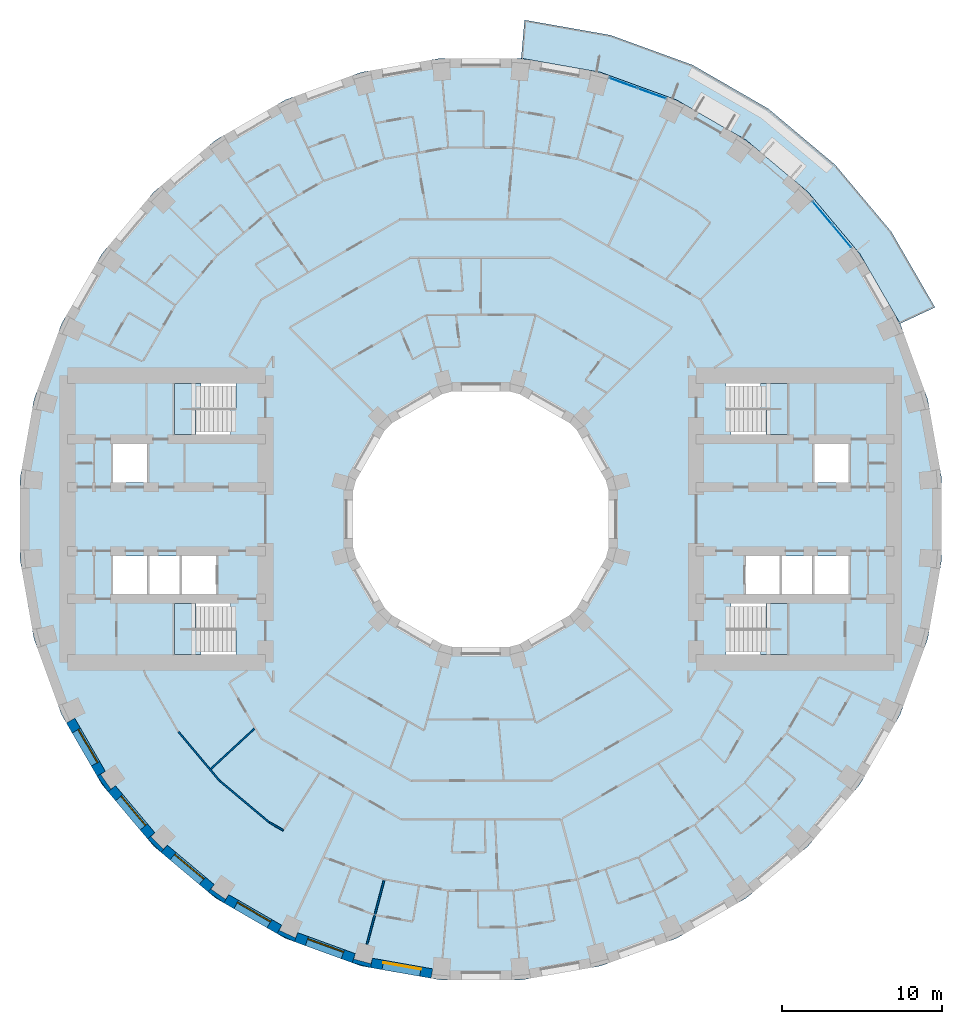
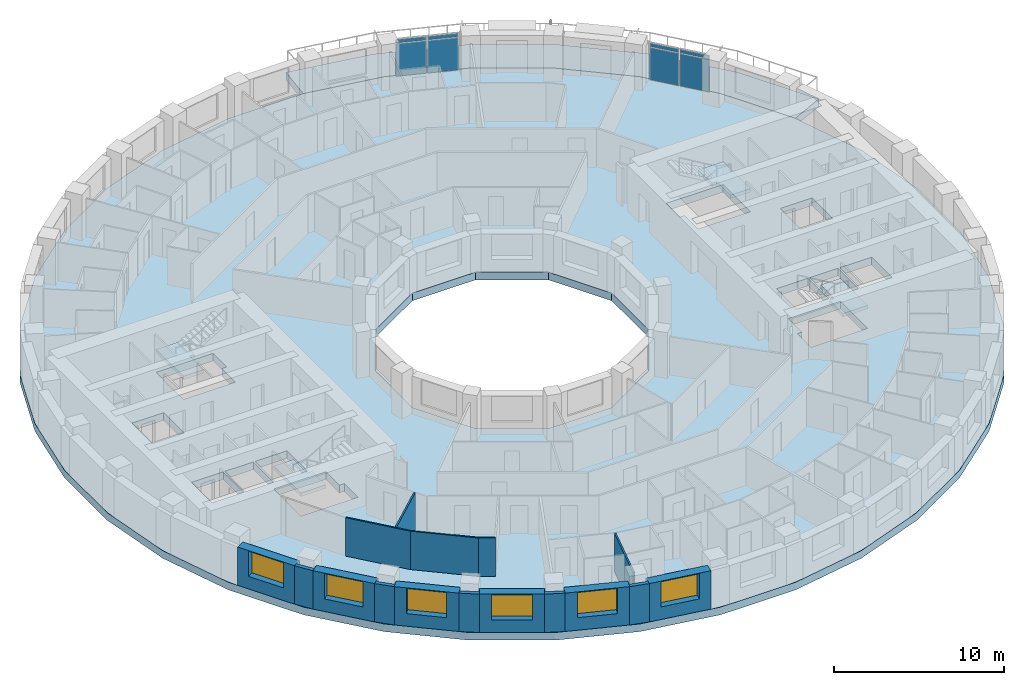
# One storey, part 3 of 15: 16 walls, 8 plates, 6 slabs, 6 windows, 6 openings, 6 elements without a shape of their own.
"""IFC4 building model written with IfcOpenShell, lengths in metres."""

from ifc_helpers import new_model, si_unit, direction, frame, frame_2d, origin, origin_2d, place, context, subcontext, project, spatial, polyline, rectangle, outline, extrude, material, layer, layer_set, type_object, element, fill, aggregate, save


model = new_model("IFC4")

# Units and contexts
model_context = context("Model", 3, precision=1e-05, world=origin(), true_north=direction((0.0, 1.0)))
body_context = subcontext(model_context, "Body", "Model", "MODEL_VIEW")
ifc_project = project(units=[si_unit("LENGTHUNIT", "METRE"), si_unit("AREAUNIT", "SQUARE_METRE"), si_unit("VOLUMEUNIT", "CUBIC_METRE"), si_unit("PLANEANGLEUNIT", "RADIAN"), si_unit("MASSUNIT", "GRAM", prefix="KILO")], contexts=[model_context])

# Site, building, storey
site_placement = place(None, origin())
site = spatial("IfcSite", under=ifc_project, at=site_placement, CompositionType="ELEMENT")
building_placement = place(site_placement, origin())
building = spatial("IfcBuilding", under=site, at=building_placement, Name="Saqina Gate Tower", CompositionType="ELEMENT")
storey_placement = place(building_placement, frame((0.0, 0.0, 69.199951171875)))
storey = spatial("IfcBuildingStorey", under=building, at=storey_placement, Name="L19", CompositionType="ELEMENT", Elevation=69.199951171875)

# Curtain wall, plates
ifc_material_1 = material(Name="Aluminium glazing", Category="aluminium")
ifc_layer_1 = layer(ifc_material_1, 0.159912109375)
ifc_layer_set_1 = layer_set([ifc_layer_1], Name="CWT-4")
curtain_wall_type = type_object("IfcCurtainWallType", Name="CWT-4", PredefinedType="NOTDEFINED", material=ifc_layer_set_1)
curtain_wall_1_placement = place(storey_placement, origin())
curtain_wall_1 = element("IfcCurtainWall", 1, at=curtain_wall_1_placement, inside=storey, type_object=curtain_wall_type, Name="Terrace lounge glazing facet 4", PredefinedType="NOTDEFINED")
ifc_material_2 = material(Name="Glass", Category="glass")
ifc_layer_2 = layer(ifc_material_2, 0.028076171875)
ifc_layer_set_2 = layer_set([ifc_layer_2], Name="CWT-4P")
plate_type = type_object("IfcPlateType", Name="CWT-4P", PredefinedType="CURTAIN_PANEL", material=ifc_layer_set_2)
plate_1_placement = place(storey_placement, frame((22.624267578125, 17.74853515625, 0.06005859375), z_axis=(0.0, 0.0, 1.0), x_axis=(-0.642791970033, 0.766040784332, 0.0)))
plate_1 = element("IfcPlate", 2, at=plate_1_placement, type_object=plate_type, Name="CW4-04 panel 1.1", PredefinedType="CURTAIN_PANEL", context=body_context, shape_type="SweptSolid", body=[
    extrude(rectangle(XDim=1.8330078125, YDim=0.028076171875, at=origin_2d()), origin(), (0.0, 0.0, 1.0), 2.31005859375),
])
plate_2_placement = place(storey_placement, frame((22.624267578125, 17.74853515625, 2.43017578125), z_axis=(0.0, 0.0, 1.0), x_axis=(-0.642791970033, 0.766040784332, 0.0)))
plate_2 = element("IfcPlate", 3, at=plate_2_placement, type_object=plate_type, Name="CW4-04 panel 1.2", PredefinedType="CURTAIN_PANEL", context=body_context, shape_type="SweptSolid", body=[
    extrude(rectangle(XDim=1.8330078125, YDim=0.028076171875, at=origin_2d()), origin(), (0.0, 0.0, 1.0), 0.260009765625),
])
plate_3_placement = place(storey_placement, frame((21.407470703125, 19.198486328125, 0.06005859375), z_axis=(0.0, 0.0, 1.0), x_axis=(-0.642791970033, 0.766040784332, 0.0)))
plate_3 = element("IfcPlate", 4, at=plate_3_placement, type_object=plate_type, Name="CW4-04 panel 2.1", PredefinedType="CURTAIN_PANEL", context=body_context, shape_type="SweptSolid", body=[
    extrude(rectangle(XDim=1.8330078125, YDim=0.028076171875, at=origin_2d()), origin(), (0.0, 0.0, 1.0), 2.31005859375),
])
plate_4_placement = place(storey_placement, frame((21.407470703125, 19.198486328125, 2.43017578125), z_axis=(0.0, 0.0, 1.0), x_axis=(-0.642791970033, 0.766040784332, 0.0)))
plate_4 = element("IfcPlate", 5, at=plate_4_placement, type_object=plate_type, Name="CW4-04 panel 2.2", PredefinedType="CURTAIN_PANEL", context=body_context, shape_type="SweptSolid", body=[
    extrude(rectangle(XDim=1.8330078125, YDim=0.028076171875, at=origin_2d()), origin(), (0.0, 0.0, 1.0), 0.260009765625),
])
aggregate(curtain_wall_1, [plate_1, plate_2, plate_3, plate_4])

curtain_wall_2_placement = place(storey_placement, origin())
curtain_wall_2 = element("IfcCurtainWall", 6, at=curtain_wall_2_placement, inside=storey, type_object=curtain_wall_type, Name="Terrace lounge glazing facet 7", PredefinedType="NOTDEFINED")
plate_5_placement = place(storey_placement, frame((10.718994140625, 26.682861328125, 0.06005859375), z_axis=(0.0, 0.0, 1.0), x_axis=(-0.939696968811, 0.34200819699, 0.0)))
plate_5 = element("IfcPlate", 7, at=plate_5_placement, type_object=plate_type, Name="CW4-07 panel 1.1", PredefinedType="CURTAIN_PANEL", context=body_context, shape_type="SweptSolid", body=[
    extrude(rectangle(XDim=1.8330078125, YDim=0.028076171875, at=origin_2d()), origin(), (0.0, 0.0, 1.0), 2.31005859375),
])
plate_6_placement = place(storey_placement, frame((10.718994140625, 26.682861328125, 2.43017578125), z_axis=(0.0, 0.0, 1.0), x_axis=(-0.939696968811, 0.34200819699, 0.0)))
plate_6 = element("IfcPlate", 8, at=plate_6_placement, type_object=plate_type, Name="CW4-07 panel 1.2", PredefinedType="CURTAIN_PANEL", context=body_context, shape_type="SweptSolid", body=[
    extrude(rectangle(XDim=1.8330078125, YDim=0.028076171875, at=origin_2d()), origin(), (0.0, 0.0, 1.0), 0.260009765625),
])
plate_7_placement = place(storey_placement, frame((8.940185546875, 27.330078125, 0.06005859375), z_axis=(0.0, 0.0, 1.0), x_axis=(-0.939696968811, 0.34200819699, 0.0)))
plate_7 = element("IfcPlate", 9, at=plate_7_placement, type_object=plate_type, Name="CW4-07 panel 2.1", PredefinedType="CURTAIN_PANEL", context=body_context, shape_type="SweptSolid", body=[
    extrude(rectangle(XDim=1.8330078125, YDim=0.028076171875, at=origin_2d()), origin(), (0.0, 0.0, 1.0), 2.31005859375),
])
plate_8_placement = place(storey_placement, frame((8.940185546875, 27.330078125, 2.43017578125), z_axis=(0.0, 0.0, 1.0), x_axis=(-0.939696968811, 0.34200819699, 0.0)))
plate_8 = element("IfcPlate", 10, at=plate_8_placement, type_object=plate_type, Name="CW4-07 panel 2.2", PredefinedType="CURTAIN_PANEL", context=body_context, shape_type="SweptSolid", body=[
    extrude(rectangle(XDim=1.8330078125, YDim=0.028076171875, at=origin_2d()), origin(), (0.0, 0.0, 1.0), 0.260009765625),
])
aggregate(curtain_wall_2, [plate_5, plate_6, plate_7, plate_8])

# Stair, slab
ifc_material_3 = material(Name="Concrete C40/50", Category="concrete")
stair_type = type_object("IfcStairType", Name="EXIT STAIR", PredefinedType="HALF_TURN_STAIR", material=ifc_material_3)
stair_1_placement = place(storey_placement, origin())
stair_1 = element("IfcStair", 11, at=stair_1_placement, inside=storey, type_object=stair_type, Name="EXIT STAIR 1", PredefinedType="HALF_TURN_STAIR")
ifc_material_4 = material(Name="Concrete C40/50", Category="concrete")
ifc_layer_3 = layer(ifc_material_4, 0.25)
ifc_layer_set_3 = layer_set([ifc_layer_3], Name="Concrete C40/50")
slab_type_1 = type_object("IfcSlabType", Name="EXIT STAIR LANDING", PredefinedType="LANDING", material=ifc_layer_set_3)
slab_1_placement = place(storey_placement, frame((0.0, 0.0, 1.400146484375)))
slab_1 = element("IfcSlab", 12, at=slab_1_placement, type_object=slab_type_1, Name="EXIT STAIR 1 LANDING 1", PredefinedType="LANDING", context=body_context, shape_type="SweptSolid", body=[
    extrude(outline(polyline([(19.219970703125, 8.5), (19.219970703125, 5.300048828125), (17.864990234375, 5.300048828125), (17.864990234375, 6.89990234375), (17.534423828125, 6.89990234375), (17.534423828125, 8.5), (17.864990234375, 8.5), (17.8701171875, 8.5), (19.219970703125, 8.5)])), origin(), (0.0, 0.0, 1.0), 0.25),
])
aggregate(stair_1, [slab_1])

stair_2_placement = place(storey_placement, origin())
stair_2 = element("IfcStair", 13, at=stair_2_placement, inside=storey, type_object=stair_type, Name="EXIT STAIR 2", PredefinedType="HALF_TURN_STAIR")
slab_2_placement = place(storey_placement, frame((0.0, 0.0, 1.400146484375)))
slab_2 = element("IfcSlab", 14, at=slab_2_placement, type_object=slab_type_1, Name="EXIT STAIR 2 LANDING 1", PredefinedType="LANDING", context=body_context, shape_type="SweptSolid", body=[
    extrude(outline(polyline([(17.534423828125, -8.5), (17.534423828125, -6.89990234375), (17.864990234375, -6.89990234375), (17.864990234375, -5.300048828125), (19.219970703125, -5.300048828125), (19.219970703125, -8.5), (17.8701171875, -8.5), (17.864990234375, -8.5), (17.534423828125, -8.5)])), origin(), (0.0, 0.0, 1.0), 0.25),
])
aggregate(stair_2, [slab_2])

stair_3_placement = place(storey_placement, origin())
stair_3 = element("IfcStair", 15, at=stair_3_placement, inside=storey, type_object=stair_type, Name="EXIT STAIR 3", PredefinedType="HALF_TURN_STAIR")
slab_3_placement = place(storey_placement, frame((0.0, 0.0, 1.400146484375)))
slab_3 = element("IfcSlab", 16, at=slab_3_placement, type_object=slab_type_1, Name="EXIT STAIR 3 LANDING 1", PredefinedType="LANDING", context=body_context, shape_type="SweptSolid", body=[
    extrude(outline(polyline([(-17.864990234375, 5.300048828125), (-19.219970703125, 5.300048828125), (-19.219970703125, 8.5), (-17.8701171875, 8.5), (-17.864990234375, 8.5), (-17.534423828125, 8.5), (-17.534423828125, 6.89990234375), (-17.864990234375, 6.89990234375), (-17.864990234375, 5.300048828125)])), origin(), (0.0, 0.0, 1.0), 0.25),
])
aggregate(stair_3, [slab_3])

stair_4_placement = place(storey_placement, origin())
stair_4 = element("IfcStair", 17, at=stair_4_placement, inside=storey, type_object=stair_type, Name="EXIT STAIR 4", PredefinedType="HALF_TURN_STAIR")
slab_4_placement = place(storey_placement, frame((0.0, 0.0, 1.400146484375)))
slab_4 = element("IfcSlab", 18, at=slab_4_placement, type_object=slab_type_1, Name="EXIT STAIR 4 LANDING 1", PredefinedType="LANDING", context=body_context, shape_type="SweptSolid", body=[
    extrude(outline(polyline([(-17.534423828125, -6.89990234375), (-17.534423828125, -8.5), (-17.864990234375, -8.5), (-17.8701171875, -8.5), (-19.219970703125, -8.5), (-19.219970703125, -5.300048828125), (-17.864990234375, -5.300048828125), (-17.864990234375, -6.89990234375), (-17.534423828125, -6.89990234375)])), origin(), (0.0, 0.0, 1.0), 0.25),
])
aggregate(stair_4, [slab_4])

# Slabs
ifc_material_5 = material(Name="Concrete C40/50", Category="concrete")
ifc_layer_4 = layer(ifc_material_5, 0.550048828125)
ifc_layer_set_4 = layer_set([ifc_layer_4], Name="Concrete C40/50")
slab_type_2 = type_object("IfcSlabType", Name="STR-POST-TENSIONED FLAT PLATE FLOOR-550", PredefinedType="FLOOR", material=ifc_layer_set_4)
slab_5_placement = place(storey_placement, frame((0.0, 0.0, -0.550048828125)))
element("IfcSlab", 19, at=slab_5_placement, inside=storey, type_object=slab_type_2, Name="L19-SLB01", PredefinedType="FLOOR", context=body_context, shape_type="SweptSolid", body=[
    extrude(outline(polyline([(28.011962890625, -7.505859375), (28.8896484375, -2.527587890625), (28.8896484375, 2.527587890625), (28.011962890625, 7.505859375), (26.282958984375, 12.255859375), (23.75537109375, 16.6337890625), (20.506103515625, 20.506103515625), (16.6337890625, 23.75537109375), (12.255859375, 26.282958984375), (7.505859375, 28.011962890625), (2.527587890625, 28.8896484375), (-2.527587890625, 28.8896484375), (-7.505859375, 28.011962890625), (-12.255859375, 26.282958984375), (-16.6337890625, 23.75537109375), (-20.506103515625, 20.506103515625), (-23.75537109375, 16.6337890625), (-26.282958984375, 12.255859375), (-28.011962890625, 7.505859375), (-28.8896484375, 2.527587890625), (-28.8896484375, -2.527587890625), (-28.011962890625, -7.505859375), (-26.282958984375, -12.255859375), (-23.75537109375, -16.6337890625), (-20.506103515625, -20.506103515625), (-16.6337890625, -23.75537109375), (-12.255859375, -26.282958984375), (-7.505859375, -28.011962890625), (-2.527587890625, -28.8896484375), (2.527587890625, -28.8896484375), (7.505859375, -28.011962890625), (12.255859375, -26.282958984375), (16.6337890625, -23.75537109375), (20.506103515625, -20.506103515625), (23.75537109375, -16.6337890625), (26.282958984375, -12.255859375), (28.011962890625, -7.505859375)]), holes=[polyline([(2.1435546875, 8.0), (5.8564453125, 5.8564453125), (8.0, 2.1435546875), (8.0, -2.1435546875), (5.8564453125, -5.8564453125), (2.1435546875, -8.0), (-2.1435546875, -8.0), (-5.8564453125, -5.8564453125), (-8.0, -2.1435546875), (-8.0, 2.1435546875), (-5.8564453125, 5.8564453125), (-2.1435546875, 8.0), (2.1435546875, 8.0)]), polyline([(-19.219970703125, -8.5), (-19.219970703125, -6.89990234375), (-19.219970703125, -5.300048828125), (-15.685546875, -5.300048828125), (-15.685546875, -6.89990234375), (-15.35498046875, -6.89990234375), (-15.35498046875, -8.5), (-19.219970703125, -8.5)]), polyline([(-20.89990234375, -2.300048828125), (-20.89990234375, -4.699951171875), (-23.06005859375, -4.699951171875), (-23.06005859375, -2.300048828125), (-20.89990234375, -2.300048828125)]), polyline([(-18.8701171875, -2.300048828125), (-18.8701171875, -4.699951171875), (-20.780029296875, -4.699951171875), (-20.780029296875, -2.300048828125), (-18.8701171875, -2.300048828125)]), polyline([(-16.590087890625, -2.300048828125), (-16.590087890625, -4.699951171875), (-18.75, -4.699951171875), (-18.75, -2.300048828125), (-16.590087890625, -2.300048828125)]), polyline([(-20.89990234375, 4.699951171875), (-20.89990234375, 2.300048828125), (-23.06005859375, 2.300048828125), (-23.06005859375, 4.699951171875), (-20.89990234375, 4.699951171875)]), polyline([(-19.219970703125, 6.89990234375), (-19.219970703125, 8.5), (-15.35498046875, 8.5), (-15.35498046875, 6.89990234375), (-15.685546875, 6.89990234375), (-15.685546875, 5.300048828125), (-19.219970703125, 5.300048828125), (-19.219970703125, 6.89990234375)]), polyline([(15.35498046875, -6.89990234375), (15.685546875, -6.89990234375), (15.685546875, -5.300048828125), (19.219970703125, -5.300048828125), (19.219970703125, -6.89990234375), (19.219970703125, -8.5), (15.35498046875, -8.5), (15.35498046875, -6.89990234375)]), polyline([(18.75, -2.300048828125), (18.75, -4.699951171875), (16.590087890625, -4.699951171875), (16.590087890625, -2.300048828125), (18.75, -2.300048828125)]), polyline([(20.780029296875, -2.300048828125), (20.780029296875, -4.699951171875), (18.8701171875, -4.699951171875), (18.8701171875, -2.300048828125), (20.780029296875, -2.300048828125)]), polyline([(23.06005859375, -2.300048828125), (23.06005859375, -4.699951171875), (20.89990234375, -4.699951171875), (20.89990234375, -2.300048828125), (23.06005859375, -2.300048828125)]), polyline([(23.06005859375, 4.699951171875), (23.06005859375, 2.300048828125), (20.89990234375, 2.300048828125), (20.89990234375, 4.699951171875), (23.06005859375, 4.699951171875)]), polyline([(15.685546875, 6.89990234375), (15.35498046875, 6.89990234375), (15.35498046875, 8.5), (19.219970703125, 8.5), (19.219970703125, 6.89990234375), (19.219970703125, 5.300048828125), (15.685546875, 5.300048828125), (15.685546875, 6.89990234375)])]), origin(), (0.0, 0.0, 1.0), 0.550048828125),
])
ifc_material_6 = material(Name="Concrete C40/50", Category="concrete")
ifc_layer_5 = layer(ifc_material_6, 0.550048828125)
ifc_layer_set_5 = layer_set([ifc_layer_5], Name="Concrete C40/50")
slab_type_3 = type_object("IfcSlabType", Name="STR-POST-TENSIONED FLAT PLATE TERRACE-550", PredefinedType="FLOOR", material=ifc_layer_set_5)
slab_6_placement = place(storey_placement, frame((0.0, 0.0, -0.550048828125)))
element("IfcSlab", 20, at=slab_6_placement, inside=storey, type_object=slab_type_3, Name="L19-TRS01", PredefinedType="FLOOR", context=body_context, shape_type="SweptSolid", body=[
    extrude(outline(polyline([(26.282958984375, 12.255859375), (23.75537109375, 16.6337890625), (20.506103515625, 20.506103515625), (16.6337890625, 23.75537109375), (12.255859375, 26.282958984375), (7.505859375, 28.011962890625), (2.527587890625, 28.8896484375), (2.737548828125, 31.28955078125), (8.12939453125, 30.3388671875), (13.274169921875, 28.46630859375), (18.015625, 25.72900390625), (22.209716796875, 22.209716796875), (25.72900390625, 18.015625), (28.46630859375, 13.274169921875), (26.282958984375, 12.255859375)])), origin(), (0.0, 0.0, 1.0), 0.550048828125),
])

# Walls
ifc_material_7 = material(Name="Brick masonry (red)", Category="masonry")
wall_type_1 = type_object("IfcWallType", Name="BRICK PIER COPING RED", PredefinedType="SOLIDWALL", material=ifc_material_7)
wall_1_placement = place(storey_placement, origin())
element("IfcWall", 21, at=wall_1_placement, inside=storey, type_object=wall_type_1, Name="Pier cap L19 column 22", PredefinedType="SOLIDWALL", context=body_context, shape_type="SweptSolid", body=[
    extrude(outline(polyline([(-24.0576171875, -16.110107421875), (-23.36669921875, -17.096923828125), (-22.9072265625, -16.711181640625), (-23.194091796875, -16.912109375), (-23.8251953125, -16.010986328125), (-23.5380859375, -15.81005859375), (-24.0576171875, -16.110107421875)])), origin(), (0.0, 0.0, 1.0), 2.75),
])
wall_2_placement = place(storey_placement, origin())
element("IfcWall", 22, at=wall_2_placement, inside=storey, type_object=wall_type_1, Name="Pier cap L19 column 23", PredefinedType="SOLIDWALL", context=body_context, shape_type="SweptSolid", body=[
    extrude(outline(polyline([(-20.04296875, -20.894775390625), (-19.6572265625, -20.43505859375), (-19.905029296875, -20.682861328125), (-20.682861328125, -19.905029296875), (-20.43505859375, -19.6572265625), (-20.894775390625, -20.04296875), (-20.04296875, -20.894775390625)])), origin(), (0.0, 0.0, 1.0), 2.75),
])
wall_3_placement = place(storey_placement, origin())
element("IfcWall", 23, at=wall_3_placement, inside=storey, type_object=wall_type_1, Name="Pier cap L19 column 24", PredefinedType="SOLIDWALL", context=body_context, shape_type="SweptSolid", body=[
    extrude(outline(polyline([(-17.096923828125, -23.36669921875), (-16.110107421875, -24.0576171875), (-15.81005859375, -23.5380859375), (-16.010986328125, -23.8251953125), (-16.912109375, -23.194091796875), (-16.711181640625, -22.9072265625), (-17.096923828125, -23.36669921875)])), origin(), (0.0, 0.0, 1.0), 2.75),
])
wall_4_placement = place(storey_placement, origin())
element("IfcWall", 24, at=wall_4_placement, inside=storey, type_object=wall_type_1, Name="Pier cap L19 column 25", PredefinedType="SOLIDWALL", context=body_context, shape_type="SweptSolid", body=[
    extrude(outline(polyline([(-11.687744140625, -26.48974609375), (-11.482666015625, -25.92578125), (-11.630615234375, -26.243408203125), (-12.627685546875, -25.778564453125), (-12.4794921875, -25.4609375), (-12.779541015625, -25.980712890625), (-11.687744140625, -26.48974609375)])), origin(), (0.0, 0.0, 1.0), 2.75),
])
wall_5_placement = place(storey_placement, origin())
element("IfcWall", 25, at=wall_5_placement, inside=storey, type_object=wall_type_1, Name="Pier cap L19 column 26", PredefinedType="SOLIDWALL", context=body_context, shape_type="SweptSolid", body=[
    extrude(outline(polyline([(-6.910400390625, -28.11669921875), (-6.80615234375, -27.52587890625), (-6.896728515625, -27.864501953125), (-7.95947265625, -27.57958984375), (-7.86865234375, -27.2412109375), (-8.073974609375, -27.80517578125), (-6.910400390625, -28.11669921875)])), origin(), (0.0, 0.0, 1.0), 2.75),
])

# Wall, opening, window
ifc_material_8 = material(Name="Brick masonry (red)", Category="masonry")
ifc_layer_6 = layer(ifc_material_8, 0.60009765625)
ifc_layer_set_6 = layer_set([ifc_layer_6], Name="FW-BRICK-RED")
wall_type_2 = type_object("IfcWallType", Name="FW-BRICK-RED", PredefinedType="SOLIDWALL", material=ifc_layer_set_6)
wall_6_placement = place(storey_placement, frame((-25.720703125, -12.629638671875, 0.0), z_axis=(0.0, 0.0, 1.0), x_axis=(0.499989888488, -0.86603124159, 0.0)))
wall_6 = element("IfcWall", 26, at=wall_6_placement, inside=storey, type_object=wall_type_2, Name="Facade wall L19 facet 21", PredefinedType="SOLIDWALL", context=body_context, shape_type="SweptSolid", body=[
    extrude(rectangle(XDim=3.845703125, YDim=0.60009765625, at=frame_2d((1.9228515625, 0.0))), origin(), (0.0, 0.0, 1.0), 2.75),
])
opening_1_placement = place(wall_6_placement, frame((0.722900390625, 0.0, 0.89990234375)))
opening_1 = element("IfcOpeningElement", 27, at=opening_1_placement, cuts=wall_6, Name="Opening G05-W10", PredefinedType="OPENING", context=body_context, shape_type="SweptSolid", body=[
    extrude(rectangle(XDim=2.39990234375, YDim=1.800048828125, at=frame_2d((1.199951171875, 0.89990234375))), frame((0.0, 0.31201171875, 0.0), z_axis=(0.0, -1.0, 0.0), x_axis=(1.0, 0.0, 0.0)), (0.0, 0.0, 1.0), 0.6240234375),
])
ifc_material_9 = material(Name="Aluminium glazing", Category="aluminium")
window_type = type_object("IfcWindowType", Name="WN-A", PartitioningType="SINGLE_PANEL", PredefinedType="WINDOW", material=ifc_material_9)
window_1_placement = place(opening_1_placement, origin())
window_1 = element("IfcWindow", 28, at=window_1_placement, inside=storey, type_object=window_type, Name="Window L19 facet 21", OverallHeight=1.800048828125, OverallWidth=2.39990234375, PartitioningType="SINGLE_PANEL", PredefinedType="WINDOW", context=body_context, shape_type="SweptSolid", body=[
    extrude(rectangle(XDim=2.39990234375, YDim=1.800048828125, at=frame_2d((1.199951171875, 0.89990234375))), frame((0.0, 0.179931640625, 0.0), z_axis=(0.0, -1.0, 0.0), x_axis=(1.0, 0.0, 0.0)), (0.0, 0.0, 1.0), 0.06005859375),
])
fill(opening_1, window_1)

wall_7_placement = place(storey_placement, frame((-23.136962890625, -16.904052734375, 0.0), z_axis=(0.0, 0.0, 1.0), x_axis=(0.642809392687, -0.766026164483, 0.0)))
wall_7 = element("IfcWall", 29, at=wall_7_placement, inside=storey, type_object=wall_type_2, Name="Facade wall L19 facet 22", PredefinedType="SOLIDWALL", context=body_context, shape_type="SweptSolid", body=[
    extrude(rectangle(XDim=3.845947265625, YDim=0.60009765625, at=frame_2d((1.9228515625, 0.0))), origin(), (0.0, 0.0, 1.0), 2.75),
])
opening_2_placement = place(wall_7_placement, frame((0.722900390625, 0.0, 0.89990234375)))
opening_2 = element("IfcOpeningElement", 30, at=opening_2_placement, cuts=wall_7, Name="Opening G05-W11", PredefinedType="OPENING", context=body_context, shape_type="SweptSolid", body=[
    extrude(rectangle(XDim=2.39990234375, YDim=1.800048828125, at=frame_2d((1.199951171875, 0.89990234375))), frame((0.0, 0.31201171875, 0.0), z_axis=(0.0, -1.0, 0.0), x_axis=(1.0, 0.0, 0.0)), (0.0, 0.0, 1.0), 0.6240234375),
])
window_2_placement = place(opening_2_placement, origin())
window_2 = element("IfcWindow", 31, at=window_2_placement, inside=storey, type_object=window_type, Name="Window L19 facet 22", OverallHeight=1.800048828125, OverallWidth=2.39990234375, PartitioningType="SINGLE_PANEL", PredefinedType="WINDOW", context=body_context, shape_type="SweptSolid", body=[
    extrude(rectangle(XDim=2.39990234375, YDim=1.800048828125, at=frame_2d((1.199951171875, 0.89990234375))), frame((0.0, 0.179931640625, 0.0), z_axis=(0.0, -1.0, 0.0), x_axis=(1.0, 0.0, 0.0)), (0.0, 0.0, 1.0), 0.06005859375),
])
fill(opening_2, window_2)

wall_8_placement = place(storey_placement, frame((-19.85009765625, -20.664794921875, 0.0), z_axis=(0.0, 0.0, 1.0), x_axis=(0.766026164483, -0.642809392687, 0.0)))
wall_8 = element("IfcWall", 32, at=wall_8_placement, inside=storey, type_object=wall_type_2, Name="Facade wall L19 facet 23", PredefinedType="SOLIDWALL", context=body_context, shape_type="SweptSolid", body=[
    extrude(rectangle(XDim=3.845947265625, YDim=0.60009765625, at=frame_2d((1.9228515625, 0.0))), origin(), (0.0, 0.0, 1.0), 2.75),
])
opening_3_placement = place(wall_8_placement, frame((0.722900390625, 0.0, 0.89990234375)))
opening_3 = element("IfcOpeningElement", 33, at=opening_3_placement, cuts=wall_8, Name="Opening G05-W12", PredefinedType="OPENING", context=body_context, shape_type="SweptSolid", body=[
    extrude(rectangle(XDim=2.39990234375, YDim=1.800048828125, at=frame_2d((1.199951171875, 0.89990234375))), frame((0.0, 0.31201171875, 0.0), z_axis=(0.0, -1.0, 0.0), x_axis=(1.0, 0.0, 0.0)), (0.0, 0.0, 1.0), 0.6240234375),
])
window_3_placement = place(opening_3_placement, origin())
window_3 = element("IfcWindow", 34, at=window_3_placement, inside=storey, type_object=window_type, Name="Window L19 facet 23", OverallHeight=1.800048828125, OverallWidth=2.39990234375, PartitioningType="SINGLE_PANEL", PredefinedType="WINDOW", context=body_context, shape_type="SweptSolid", body=[
    extrude(rectangle(XDim=2.39990234375, YDim=1.800048828125, at=frame_2d((1.199951171875, 0.89990234375))), frame((0.0, 0.179931640625, 0.0), z_axis=(0.0, -1.0, 0.0), x_axis=(1.0, 0.0, 0.0)), (0.0, 0.0, 1.0), 0.06005859375),
])
fill(opening_3, window_3)

wall_9_placement = place(storey_placement, frame((-15.960205078125, -23.7978515625, 0.0), z_axis=(0.0, 0.0, 1.0), x_axis=(0.86603124159, -0.499989888488, 0.0)))
wall_9 = element("IfcWall", 35, at=wall_9_placement, inside=storey, type_object=wall_type_2, Name="Facade wall L19 facet 24", PredefinedType="SOLIDWALL", context=body_context, shape_type="SweptSolid", body=[
    extrude(rectangle(XDim=3.845703125, YDim=0.60009765625, at=frame_2d((1.9228515625, 0.0))), origin(), (0.0, 0.0, 1.0), 2.75),
])
opening_4_placement = place(wall_9_placement, frame((0.722900390625, 0.0, 0.89990234375)))
opening_4 = element("IfcOpeningElement", 36, at=opening_4_placement, cuts=wall_9, Name="Opening G05-W13", PredefinedType="OPENING", context=body_context, shape_type="SweptSolid", body=[
    extrude(rectangle(XDim=2.39990234375, YDim=1.800048828125, at=frame_2d((1.199951171875, 0.89990234375))), frame((0.0, 0.31201171875, 0.0), z_axis=(0.0, -1.0, 0.0), x_axis=(1.0, 0.0, 0.0)), (0.0, 0.0, 1.0), 0.6240234375),
])
window_4_placement = place(opening_4_placement, origin())
window_4 = element("IfcWindow", 37, at=window_4_placement, inside=storey, type_object=window_type, Name="Window L19 facet 24", OverallHeight=1.800048828125, OverallWidth=2.39990234375, PartitioningType="SINGLE_PANEL", PredefinedType="WINDOW", context=body_context, shape_type="SweptSolid", body=[
    extrude(rectangle(XDim=2.39990234375, YDim=1.800048828125, at=frame_2d((1.199951171875, 0.89990234375))), frame((0.0, 0.179931640625, 0.0), z_axis=(0.0, -1.0, 0.0), x_axis=(1.0, 0.0, 0.0)), (0.0, 0.0, 1.0), 0.06005859375),
])
fill(opening_4, window_4)

wall_10_placement = place(storey_placement, frame((-11.585205078125, -26.207763671875, 0.0), z_axis=(0.0, 0.0, 1.0), x_axis=(0.939689588564, -0.342028474173, 0.0)))
wall_10 = element("IfcWall", 38, at=wall_10_placement, inside=storey, type_object=wall_type_2, Name="Facade wall L19 facet 25", PredefinedType="SOLIDWALL", context=body_context, shape_type="SweptSolid", body=[
    extrude(rectangle(XDim=3.845947265625, YDim=0.60009765625, at=frame_2d((1.9228515625, 0.0))), origin(), (0.0, 0.0, 1.0), 2.75),
])
opening_5_placement = place(wall_10_placement, frame((0.722900390625, 0.0, 0.89990234375)))
opening_5 = element("IfcOpeningElement", 39, at=opening_5_placement, cuts=wall_10, Name="Opening G05-W14", PredefinedType="OPENING", context=body_context, shape_type="SweptSolid", body=[
    extrude(rectangle(XDim=2.39990234375, YDim=1.800048828125, at=frame_2d((1.199951171875, 0.89990234375))), frame((0.0, 0.31201171875, 0.0), z_axis=(0.0, -1.0, 0.0), x_axis=(1.0, 0.0, 0.0)), (0.0, 0.0, 1.0), 0.6240234375),
])
window_5_placement = place(opening_5_placement, origin())
window_5 = element("IfcWindow", 40, at=window_5_placement, inside=storey, type_object=window_type, Name="Window L19 facet 25", OverallHeight=1.800048828125, OverallWidth=2.39990234375, PartitioningType="SINGLE_PANEL", PredefinedType="WINDOW", context=body_context, shape_type="SweptSolid", body=[
    extrude(rectangle(XDim=2.39990234375, YDim=1.800048828125, at=frame_2d((1.199951171875, 0.89990234375))), frame((0.0, 0.179931640625, 0.0), z_axis=(0.0, -1.0, 0.0), x_axis=(1.0, 0.0, 0.0)), (0.0, 0.0, 1.0), 0.06005859375),
])
fill(opening_5, window_5)

wall_11_placement = place(storey_placement, frame((-6.858154296875, -27.8212890625, 0.0), z_axis=(0.0, 0.0, 1.0), x_axis=(0.984800809218, -0.173687553279, 0.0)))
wall_11 = element("IfcWall", 41, at=wall_11_placement, inside=storey, type_object=wall_type_2, Name="Facade wall L19 facet 26", PredefinedType="SOLIDWALL", context=body_context, shape_type="SweptSolid", body=[
    extrude(rectangle(XDim=3.845703125, YDim=0.60009765625, at=frame_2d((1.9228515625, 0.0))), origin(), (0.0, 0.0, 1.0), 2.75),
])
opening_6_placement = place(wall_11_placement, frame((0.722900390625, 0.0, 0.89990234375)))
opening_6 = element("IfcOpeningElement", 42, at=opening_6_placement, cuts=wall_11, Name="Opening G05-W15", PredefinedType="OPENING", context=body_context, shape_type="SweptSolid", body=[
    extrude(rectangle(XDim=2.39990234375, YDim=1.800048828125, at=frame_2d((1.199951171875, 0.89990234375))), frame((0.0, 0.31201171875, 0.0), z_axis=(0.0, -1.0, 0.0), x_axis=(1.0, 0.0, 0.0)), (0.0, 0.0, 1.0), 0.6240234375),
])
window_6_placement = place(opening_6_placement, origin())
window_6 = element("IfcWindow", 43, at=window_6_placement, inside=storey, type_object=window_type, Name="Window L19 facet 26", OverallHeight=1.800048828125, OverallWidth=2.39990234375, PartitioningType="SINGLE_PANEL", PredefinedType="WINDOW", context=body_context, shape_type="SweptSolid", body=[
    extrude(rectangle(XDim=2.39990234375, YDim=1.800048828125, at=frame_2d((1.199951171875, 0.89990234375))), frame((0.0, 0.179931640625, 0.0), z_axis=(0.0, -1.0, 0.0), x_axis=(1.0, 0.0, 0.0)), (0.0, 0.0, 1.0), 0.06005859375),
])
fill(opening_6, window_6)

# Walls
ifc_material_10 = material(Name="Gypsum board on steel studs, 100 mm", Category="steel")
ifc_layer_7 = layer(ifc_material_10, 0.10009765625)
ifc_layer_set_7 = layer_set([ifc_layer_7], Name="PARTITION 100")
wall_type_3 = type_object("IfcWallType", Name="PARTITION 100", PredefinedType="PARTITIONING", material=ifc_layer_set_7)
wall_12_placement = place(storey_placement, frame((-18.953857421875, -13.332275390625, 0.0), z_axis=(0.0, 0.0, 1.0), x_axis=(0.642759837919, -0.766067745541, 0.0)))
element("IfcWall", 44, at=wall_12_placement, inside=storey, type_object=wall_type_3, Name="PARTITION PW3-29", PredefinedType="PARTITIONING", context=body_context, shape_type="SweptSolid", body=[
    extrude(rectangle(XDim=4.041015625, YDim=0.10009765625, at=frame_2d((2.0205078125, 0.0))), origin(), (0.0, 0.0, 1.0), 2.75),
])
wall_13_placement = place(storey_placement, frame((-16.3505859375, -16.421142578125, 0.0), z_axis=(0.0, 0.0, 1.0), x_axis=(0.766042783762, -0.642789587226, 0.0)))
element("IfcWall", 45, at=wall_13_placement, inside=storey, type_object=wall_type_3, Name="PARTITION PW3-36", PredefinedType="PARTITIONING", context=body_context, shape_type="SweptSolid", body=[
    extrude(rectangle(XDim=4.040771484375, YDim=0.10009765625, at=frame_2d((2.0205078125, 0.0))), origin(), (0.0, 0.0, 1.0), 2.75),
])
wall_14_placement = place(storey_placement, frame((-13.250732421875, -19.010986328125, 0.0), z_axis=(0.0, 0.0, 1.0), x_axis=(0.866063163075, -0.499934593286, 0.0)))
element("IfcWall", 46, at=wall_14_placement, inside=storey, type_object=wall_type_3, Name="PARTITION PW3-43", PredefinedType="PARTITIONING", context=body_context, shape_type="SweptSolid", body=[
    extrude(rectangle(XDim=0.996337890625, YDim=0.10009765625, at=frame_2d((0.498046875, 0.0))), origin(), (0.0, 0.0, 1.0), 2.75),
])
wall_15_placement = place(storey_placement, frame((-16.930419921875, -15.666015625, 0.0), z_axis=(0.0, 0.0, 1.0), x_axis=(0.733966319228, 0.679185867226, 0.0)))
element("IfcWall", 47, at=wall_15_placement, inside=storey, type_object=wall_type_3, Name="PARTITION PW3-87", PredefinedType="PARTITIONING", context=body_context, shape_type="SweptSolid", body=[
    extrude(rectangle(XDim=3.725830078125, YDim=0.10009765625, at=frame_2d((1.86279296875, 0.0))), origin(), (0.0, 0.0, 1.0), 2.75),
])
wall_16_placement = place(storey_placement, frame((-7.14013671875, -26.650146484375, 0.0), z_axis=(0.0, 0.0, 1.0), x_axis=(0.258611937806, 0.965981296726, 0.0)))
element("IfcWall", 48, at=wall_16_placement, inside=storey, type_object=wall_type_3, Name="PARTITION PW3-104", PredefinedType="PARTITIONING", context=body_context, shape_type="SweptSolid", body=[
    extrude(rectangle(XDim=4.161376953125, YDim=0.10009765625, at=frame_2d((2.08056640625, 0.0))), origin(), (0.0, 0.0, 1.0), 2.75),
])

save(model, "model.ifc")
